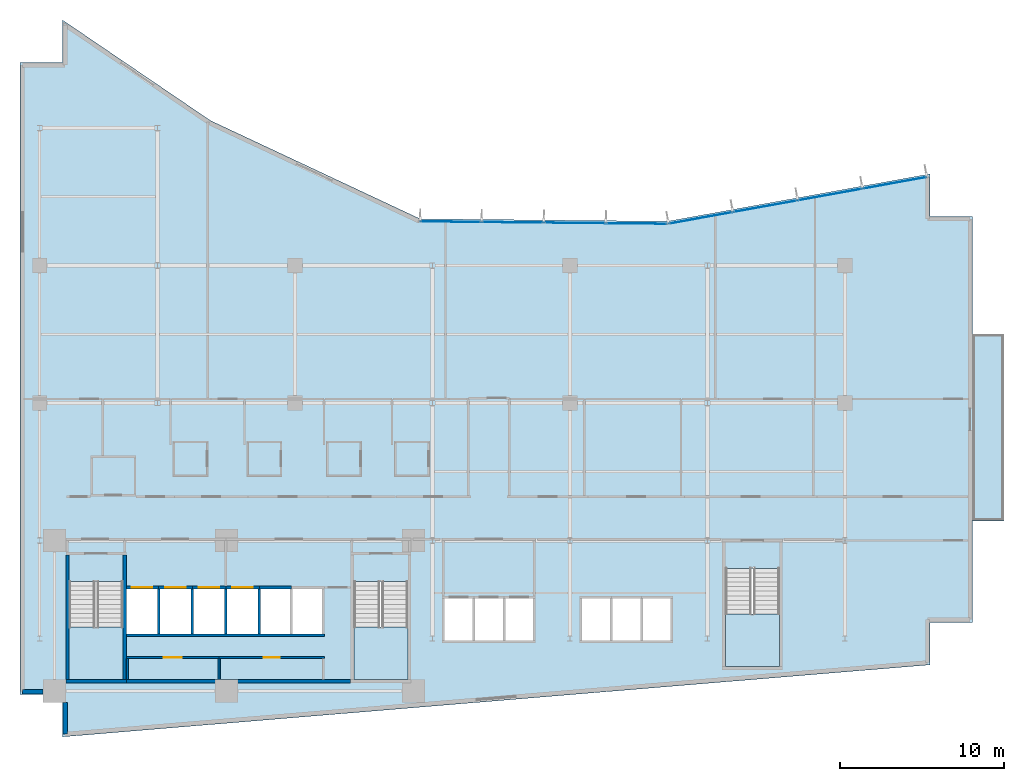
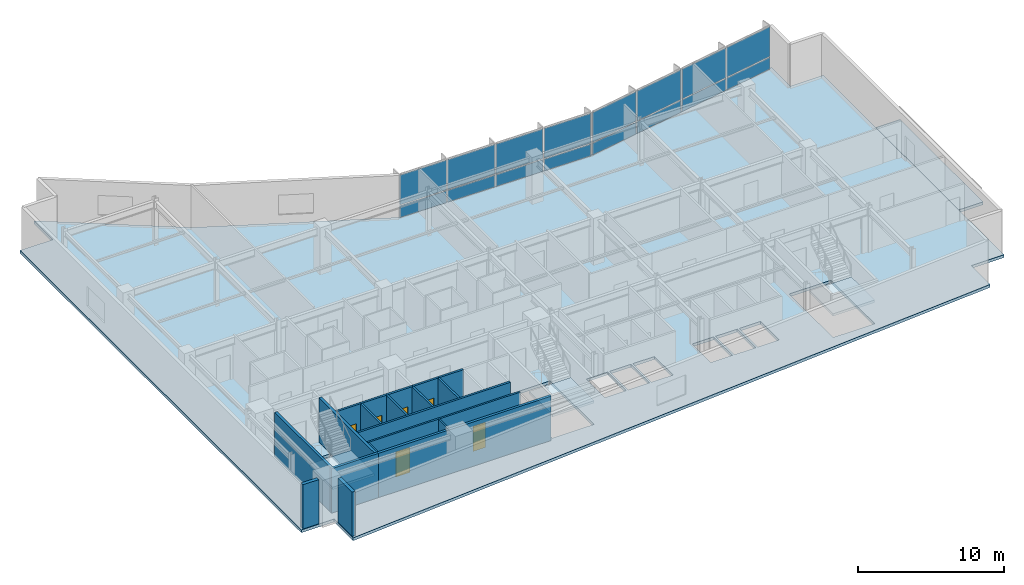
# One storey, part 9 of 18: 20 walls, 16 plates, 6 doors, 5 slabs, 6 openings, 5 elements without a shape of their own.
"""IFC4 building model written with IfcOpenShell, lengths in metres."""

from ifc_helpers import new_model, si_unit, direction, frame, frame_2d, origin, origin_2d, place, context, subcontext, project, spatial, polyline, rectangle, outline, extrude, material, layer, layer_set, type_object, element, fill, aggregate, save


model = new_model("IFC4")

# Units and contexts
model_context = context("Model", 3, precision=1e-05, world=origin(), true_north=direction((0.0, 1.0)))
body_context = subcontext(model_context, "Body", "Model", "MODEL_VIEW")
ifc_project = project(units=[si_unit("LENGTHUNIT", "METRE"), si_unit("AREAUNIT", "SQUARE_METRE"), si_unit("VOLUMEUNIT", "CUBIC_METRE"), si_unit("PLANEANGLEUNIT", "RADIAN"), si_unit("MASSUNIT", "GRAM", prefix="KILO")], contexts=[model_context])

# Site, building, storey
site_placement = place(None, origin())
site = spatial("IfcSite", under=ifc_project, at=site_placement, CompositionType="ELEMENT")
building_placement = place(site_placement, origin())
building = spatial("IfcBuilding", under=site, at=building_placement, Name="Varnakote Quay Hospital", CompositionType="ELEMENT")
storey_placement = place(building_placement, frame((0.0, 0.0, 73.85009765625)))
storey = spatial("IfcBuildingStorey", under=building, at=storey_placement, Name="L18", CompositionType="ELEMENT", Elevation=73.85009765625)

# Curtain wall, plates
ifc_material_1 = material(Name="Anodised aluminium 6063-T6 Bronze", Category="aluminium")
ifc_layer_1 = layer(ifc_material_1, 0.18994140625)
ifc_layer_set_1 = layer_set([ifc_layer_1], Name="Anodised aluminium 6063-T6 Bronze")
curtain_wall_type = type_object("IfcCurtainWallType", Name="CW-SYS-2", PredefinedType="NOTDEFINED", material=ifc_layer_set_1)
curtain_wall_1_placement = place(storey_placement, origin())
curtain_wall_1 = element("IfcCurtainWall", 1, at=curtain_wall_1_placement, inside=storey, type_object=curtain_wall_type, Name="L18 Unitised Bronze Curtain Wall 1", PredefinedType="NOTDEFINED")
ifc_material_2 = material(Name="Double-glazed acoustic laminated glass", Category="glass")
ifc_layer_2 = layer(ifc_material_2, 0.031982421875)
ifc_layer_set_2 = layer_set([ifc_layer_2], Name="Double-glazed acoustic laminated glass")
plate_type = type_object("IfcPlateType", Name="CW-PNL-GLZ-32", PredefinedType="CURTAIN_PANEL", material=ifc_layer_set_2)
plate_1_placement = place(storey_placement, frame((53.440185546875, 33.84716796875, 0.07470703125), z_axis=(0.0, 0.0, 1.0), x_axis=(-0.984058295766, -0.177846199098, 0.0)))
plate_1 = element("IfcPlate", 2, at=plate_1_placement, type_object=plate_type, Name="-2-L18-1 panel 1.1", PredefinedType="CURTAIN_PANEL", context=body_context, shape_type="SweptSolid", body=[
    extrude(rectangle(XDim=3.914306640625, YDim=0.031982421875, at=origin_2d()), origin(), (0.0, 0.0, 1.0), 0.987548828125),
])
plate_2_placement = place(storey_placement, frame((53.440185546875, 33.84716796875, 1.137451171875), z_axis=(0.0, 0.0, 1.0), x_axis=(-0.984058295766, -0.177846199098, 0.0)))
plate_2 = element("IfcPlate", 3, at=plate_2_placement, type_object=plate_type, Name="-2-L18-1 panel 1.2", PredefinedType="CURTAIN_PANEL", context=body_context, shape_type="SweptSolid", body=[
    extrude(rectangle(XDim=3.914306640625, YDim=0.031982421875, at=origin_2d()), origin(), (0.0, 0.0, 1.0), 2.49755859375),
])
plate_3_placement = place(storey_placement, frame((49.49609375, 33.13427734375, 0.07470703125), z_axis=(0.0, 0.0, 1.0), x_axis=(-0.984058295766, -0.177846199098, 0.0)))
plate_3 = element("IfcPlate", 4, at=plate_3_placement, type_object=plate_type, Name="-2-L18-1 panel 2.1", PredefinedType="CURTAIN_PANEL", context=body_context, shape_type="SweptSolid", body=[
    extrude(rectangle(XDim=3.951904296875, YDim=0.031982421875, at=origin_2d()), origin(), (0.0, 0.0, 1.0), 0.987548828125),
])
plate_4_placement = place(storey_placement, frame((49.49609375, 33.13427734375, 1.137451171875), z_axis=(0.0, 0.0, 1.0), x_axis=(-0.984058295766, -0.177846199098, 0.0)))
plate_4 = element("IfcPlate", 5, at=plate_4_placement, type_object=plate_type, Name="-2-L18-1 panel 2.2", PredefinedType="CURTAIN_PANEL", context=body_context, shape_type="SweptSolid", body=[
    extrude(rectangle(XDim=3.951904296875, YDim=0.031982421875, at=origin_2d()), origin(), (0.0, 0.0, 1.0), 2.49755859375),
])
plate_5_placement = place(storey_placement, frame((45.533447265625, 32.418212890625, 0.07470703125), z_axis=(0.0, 0.0, 1.0), x_axis=(-0.984058295766, -0.177846199098, 0.0)))
plate_5 = element("IfcPlate", 6, at=plate_5_placement, type_object=plate_type, Name="-2-L18-1 panel 3.1", PredefinedType="CURTAIN_PANEL", context=body_context, shape_type="SweptSolid", body=[
    extrude(rectangle(XDim=3.951904296875, YDim=0.031982421875, at=origin_2d()), origin(), (0.0, 0.0, 1.0), 0.987548828125),
])
plate_6_placement = place(storey_placement, frame((45.533447265625, 32.418212890625, 1.137451171875), z_axis=(0.0, 0.0, 1.0), x_axis=(-0.984058295766, -0.177846199098, 0.0)))
plate_6 = element("IfcPlate", 7, at=plate_6_placement, type_object=plate_type, Name="-2-L18-1 panel 3.2", PredefinedType="CURTAIN_PANEL", context=body_context, shape_type="SweptSolid", body=[
    extrude(rectangle(XDim=3.951904296875, YDim=0.031982421875, at=origin_2d()), origin(), (0.0, 0.0, 1.0), 2.49755859375),
])
plate_7_placement = place(storey_placement, frame((41.58935546875, 31.705322265625, 0.07470703125), z_axis=(0.0, 0.0, 1.0), x_axis=(-0.984058295766, -0.177846199098, 0.0)))
plate_7 = element("IfcPlate", 8, at=plate_7_placement, type_object=plate_type, Name="-2-L18-1 panel 4.1", PredefinedType="CURTAIN_PANEL", context=body_context, shape_type="SweptSolid", body=[
    extrude(rectangle(XDim=3.914306640625, YDim=0.031982421875, at=origin_2d()), origin(), (0.0, 0.0, 1.0), 0.987548828125),
])
plate_8_placement = place(storey_placement, frame((41.58935546875, 31.705322265625, 1.137451171875), z_axis=(0.0, 0.0, 1.0), x_axis=(-0.984058295766, -0.177846199098, 0.0)))
plate_8 = element("IfcPlate", 9, at=plate_8_placement, type_object=plate_type, Name="-2-L18-1 panel 4.2", PredefinedType="CURTAIN_PANEL", context=body_context, shape_type="SweptSolid", body=[
    extrude(rectangle(XDim=3.914306640625, YDim=0.031982421875, at=origin_2d()), origin(), (0.0, 0.0, 1.0), 2.49755859375),
])
aggregate(curtain_wall_1, [plate_1, plate_2, plate_3, plate_4, plate_5, plate_6, plate_7, plate_8])

curtain_wall_2_placement = place(storey_placement, origin())
curtain_wall_2 = element("IfcCurtainWall", 10, at=curtain_wall_2_placement, inside=storey, type_object=curtain_wall_type, Name="L18 Unitised Bronze Curtain Wall 2", PredefinedType="NOTDEFINED")
plate_9_placement = place(storey_placement, frame((37.673095703125, 31.362548828125, 0.07470703125), z_axis=(0.0, 0.0, 1.0), x_axis=(-0.999952230718, 0.009774266312, 0.0)))
plate_9 = element("IfcPlate", 11, at=plate_9_placement, type_object=plate_type, Name="-2-L18-2 panel 1.1", PredefinedType="CURTAIN_PANEL", context=body_context, shape_type="SweptSolid", body=[
    extrude(rectangle(XDim=3.68310546875, YDim=0.031982421875, at=origin_2d()), origin(), (0.0, 0.0, 1.0), 0.987548828125),
])
plate_10_placement = place(storey_placement, frame((37.673095703125, 31.362548828125, 1.137451171875), z_axis=(0.0, 0.0, 1.0), x_axis=(-0.999952230718, 0.009774266312, 0.0)))
plate_10 = element("IfcPlate", 12, at=plate_10_placement, type_object=plate_type, Name="-2-L18-2 panel 1.2", PredefinedType="CURTAIN_PANEL", context=body_context, shape_type="SweptSolid", body=[
    extrude(rectangle(XDim=3.68310546875, YDim=0.031982421875, at=origin_2d()), origin(), (0.0, 0.0, 1.0), 2.49755859375),
])
plate_11_placement = place(storey_placement, frame((33.896240234375, 31.399658203125, 0.07470703125), z_axis=(0.0, 0.0, 1.0), x_axis=(-0.999952230718, 0.009774266312, 0.0)))
plate_11 = element("IfcPlate", 13, at=plate_11_placement, type_object=plate_type, Name="-2-L18-2 panel 2.1", PredefinedType="CURTAIN_PANEL", context=body_context, shape_type="SweptSolid", body=[
    extrude(rectangle(XDim=3.720703125, YDim=0.031982421875, at=origin_2d()), origin(), (0.0, 0.0, 1.0), 0.987548828125),
])
plate_12_placement = place(storey_placement, frame((33.896240234375, 31.399658203125, 1.137451171875), z_axis=(0.0, 0.0, 1.0), x_axis=(-0.999952230718, 0.009774266312, 0.0)))
plate_12 = element("IfcPlate", 14, at=plate_12_placement, type_object=plate_type, Name="-2-L18-2 panel 2.2", PredefinedType="CURTAIN_PANEL", context=body_context, shape_type="SweptSolid", body=[
    extrude(rectangle(XDim=3.720703125, YDim=0.031982421875, at=origin_2d()), origin(), (0.0, 0.0, 1.0), 2.49755859375),
])
plate_13_placement = place(storey_placement, frame((30.100830078125, 31.436767578125, 0.07470703125), z_axis=(0.0, 0.0, 1.0), x_axis=(-0.999952230718, 0.009774266312, 0.0)))
plate_13 = element("IfcPlate", 15, at=plate_13_placement, type_object=plate_type, Name="-2-L18-2 panel 3.1", PredefinedType="CURTAIN_PANEL", context=body_context, shape_type="SweptSolid", body=[
    extrude(rectangle(XDim=3.720703125, YDim=0.031982421875, at=origin_2d()), origin(), (0.0, 0.0, 1.0), 0.987548828125),
])
plate_14_placement = place(storey_placement, frame((30.100830078125, 31.436767578125, 1.137451171875), z_axis=(0.0, 0.0, 1.0), x_axis=(-0.999952230718, 0.009774266312, 0.0)))
plate_14 = element("IfcPlate", 16, at=plate_14_placement, type_object=plate_type, Name="-2-L18-2 panel 3.2", PredefinedType="CURTAIN_PANEL", context=body_context, shape_type="SweptSolid", body=[
    extrude(rectangle(XDim=3.720703125, YDim=0.031982421875, at=origin_2d()), origin(), (0.0, 0.0, 1.0), 2.49755859375),
])
plate_15_placement = place(storey_placement, frame((26.32421875, 31.4736328125, 0.07470703125), z_axis=(0.0, 0.0, 1.0), x_axis=(-0.999952230718, 0.009774266312, 0.0)))
plate_15 = element("IfcPlate", 17, at=plate_15_placement, type_object=plate_type, Name="-2-L18-2 panel 4.1", PredefinedType="CURTAIN_PANEL", context=body_context, shape_type="SweptSolid", body=[
    extrude(rectangle(XDim=3.68310546875, YDim=0.031982421875, at=origin_2d()), origin(), (0.0, 0.0, 1.0), 0.987548828125),
])
plate_16_placement = place(storey_placement, frame((26.32421875, 31.4736328125, 1.137451171875), z_axis=(0.0, 0.0, 1.0), x_axis=(-0.999952230718, 0.009774266312, 0.0)))
plate_16 = element("IfcPlate", 18, at=plate_16_placement, type_object=plate_type, Name="-2-L18-2 panel 4.2", PredefinedType="CURTAIN_PANEL", context=body_context, shape_type="SweptSolid", body=[
    extrude(rectangle(XDim=3.68310546875, YDim=0.031982421875, at=origin_2d()), origin(), (0.0, 0.0, 1.0), 2.49755859375),
])
aggregate(curtain_wall_2, [plate_9, plate_10, plate_11, plate_12, plate_13, plate_14, plate_15, plate_16])

# Stair, slab
ifc_material_3 = material(Name="Concrete N40 (f'c 40 MPa)", Category="concrete")
stair_type = type_object("IfcStairType", Name="STR-CORE-1580", PredefinedType="HALF_TURN_STAIR", material=ifc_material_3)
stair_1_placement = place(storey_placement, origin())
stair_1 = element("IfcStair", 19, at=stair_1_placement, inside=storey, type_object=stair_type, Name="L18 Fire-Isolated Exit Stair ST-01", PredefinedType="HALF_TURN_STAIR")
ifc_material_4 = material(Name="Concrete N40 (f'c 40 MPa)", Category="concrete")
ifc_layer_3 = layer(ifc_material_4, 0.199951171875)
ifc_layer_set_3 = layer_set([ifc_layer_3], Name="Concrete N40 (f'c 40 MPa)")
slab_type_1 = type_object("IfcSlabType", Name="SLB-STAIR-LND-200", PredefinedType="LANDING", material=ifc_layer_set_3)
slab_1_placement = place(storey_placement, frame((0.0, 0.0, 1.77490234375)))
slab_1 = element("IfcSlab", 20, at=slab_1_placement, type_object=slab_type_1, Name="ST-01 landing 1", PredefinedType="LANDING", context=body_context, shape_type="SweptSolid", body=[
    extrude(outline(polyline([(3.0, 6.699951171875), (3.0, 3.5), (6.300048828125, 3.5), (6.300048828125, 6.699951171875), (3.0, 6.699951171875)])), origin(), (0.0, 0.0, 1.0), 0.199951171875),
])
aggregate(stair_1, [slab_1])

stair_2_placement = place(storey_placement, origin())
stair_2 = element("IfcStair", 21, at=stair_2_placement, inside=storey, type_object=stair_type, Name="L18 Fire-Isolated Exit Stair ST-02", PredefinedType="HALF_TURN_STAIR")
slab_2_placement = place(storey_placement, frame((0.0, 0.0, 1.77490234375)))
slab_2 = element("IfcSlab", 22, at=slab_2_placement, type_object=slab_type_1, Name="ST-02 landing 1", PredefinedType="LANDING", context=body_context, shape_type="SweptSolid", body=[
    extrude(outline(polyline([(20.39990234375, 6.699951171875), (20.39990234375, 3.5), (23.699951171875, 3.5), (23.699951171875, 6.699951171875), (20.39990234375, 6.699951171875)])), origin(), (0.0, 0.0, 1.0), 0.199951171875),
])
aggregate(stair_2, [slab_2])

stair_3_placement = place(storey_placement, origin())
stair_3 = element("IfcStair", 23, at=stair_3_placement, inside=storey, type_object=stair_type, Name="L18 Fire-Isolated Exit Stair ST-03", PredefinedType="HALF_TURN_STAIR")
slab_3_placement = place(storey_placement, frame((0.0, 0.0, 1.77490234375)))
slab_3 = element("IfcSlab", 24, at=slab_3_placement, type_object=slab_type_1, Name="ST-03 landing 1", PredefinedType="LANDING", context=body_context, shape_type="SweptSolid", body=[
    extrude(outline(polyline([(43.10009765625, 7.5), (43.10009765625, 4.300048828125), (46.39990234375, 4.300048828125), (46.39990234375, 7.5), (43.10009765625, 7.5)])), origin(), (0.0, 0.0, 1.0), 0.199951171875),
])
aggregate(stair_3, [slab_3])

# Slabs
ifc_material_5 = material(Name="Concrete N50 (f'c 50 MPa)", Category="concrete")
ifc_layer_4 = layer(ifc_material_5, 0.239990234375)
ifc_layer_set_4 = layer_set([ifc_layer_4], Name="Concrete N50 (f'c 50 MPa)")
slab_type_2 = type_object("IfcSlabType", Name="SLB-TERR-200", PredefinedType="FLOOR", material=ifc_layer_set_4)
slab_4_placement = place(storey_placement, frame((0.0, 0.0, -0.239990234375)))
element("IfcSlab", 25, at=slab_4_placement, inside=storey, type_object=slab_type_2, Name="L18 Waterfront Healing Terrace Slab", PredefinedType="FLOOR", context=body_context, shape_type="SweptSolid", body=[
    extrude(outline(polyline([(58.196044921875, 24.60009765625), (58.196044921875, 13.199951171875), (60.1201171875, 13.199951171875), (60.1201171875, 24.60009765625), (58.196044921875, 24.60009765625)])), origin(), (0.0, 0.0, 1.0), 0.239990234375),
])
ifc_material_6 = material(Name="Concrete N50 (f'c 50 MPa)", Category="concrete")
ifc_layer_5 = layer(ifc_material_6, 0.239990234375)
ifc_layer_set_5 = layer_set([ifc_layer_5], Name="Concrete N50 (f'c 50 MPa)")
slab_type_3 = type_object("IfcSlabType", Name="SLB-WARD-200", PredefinedType="FLOOR", material=ifc_layer_set_5)
slab_5_placement = place(storey_placement, frame((0.0, 0.0, -0.239990234375)))
element("IfcSlab", 26, at=slab_5_placement, inside=storey, type_object=slab_type_3, Name="L18 Primary Floor Slab", PredefinedType="FLOOR", context=body_context, shape_type="SweptSolid", body=[
    extrude(outline(polyline([(0.0, 2.60009765625), (2.60009765625, 2.60009765625), (2.60009765625, 0.0), (55.60009765625, 4.39990234375), (55.60009765625, 7.0), (58.199951171875, 7.0), (58.199951171875, 31.800048828125), (55.60009765625, 31.800048828125), (55.60009765625, 34.39990234375), (39.575927734375, 31.50390625), (24.444091796875, 31.652099609375), (11.639892578125, 37.656005859375), (2.60009765625, 43.800048828125), (2.60009765625, 41.199951171875), (0.0, 41.199951171875), (0.0, 2.60009765625)]), holes=[polyline([(3.0, 3.5), (6.300048828125, 3.5), (6.300048828125, 9.49951171875), (3.0, 9.49951171875), (3.0, 3.5)]), polyline([(20.39990234375, 3.5), (23.699951171875, 3.5), (23.699951171875, 9.49951171875), (20.39990234375, 9.49951171875), (20.39990234375, 3.5)]), polyline([(43.10009765625, 4.300048828125), (46.39990234375, 4.300048828125), (46.39990234375, 10.29931640625), (43.10009765625, 10.29931640625), (43.10009765625, 4.300048828125)]), polyline([(6.5, 6.300048828125), (8.39990234375, 6.300048828125), (8.39990234375, 9.050048828125), (6.5, 9.050048828125), (6.5, 6.300048828125)]), polyline([(8.550048828125, 6.300048828125), (10.449951171875, 6.300048828125), (10.449951171875, 9.050048828125), (8.550048828125, 9.050048828125), (8.550048828125, 6.300048828125)]), polyline([(10.60009765625, 6.300048828125), (12.5, 6.300048828125), (12.5, 9.050048828125), (10.60009765625, 9.050048828125), (10.60009765625, 6.300048828125)]), polyline([(12.64990234375, 6.300048828125), (14.550048828125, 6.300048828125), (14.550048828125, 9.050048828125), (12.64990234375, 9.050048828125), (12.64990234375, 6.300048828125)]), polyline([(14.699951171875, 6.300048828125), (16.5, 6.300048828125), (16.5, 9.050048828125), (14.699951171875, 9.050048828125), (14.699951171875, 6.300048828125)]), polyline([(16.64990234375, 6.300048828125), (18.449951171875, 6.300048828125), (18.449951171875, 9.050048828125), (16.64990234375, 9.050048828125), (16.64990234375, 6.300048828125)]), polyline([(25.949951171875, 5.89990234375), (27.64990234375, 5.89990234375), (27.64990234375, 8.449951171875), (25.949951171875, 8.449951171875), (25.949951171875, 5.89990234375)]), polyline([(27.800048828125, 5.89990234375), (29.5, 5.89990234375), (29.5, 8.449951171875), (27.800048828125, 8.449951171875), (27.800048828125, 5.89990234375)]), polyline([(29.64990234375, 5.89990234375), (31.35009765625, 5.89990234375), (31.35009765625, 8.449951171875), (29.64990234375, 8.449951171875), (29.64990234375, 5.89990234375)]), polyline([(34.35009765625, 5.89990234375), (36.050048828125, 5.89990234375), (36.050048828125, 8.449951171875), (34.35009765625, 8.449951171875), (34.35009765625, 5.89990234375)]), polyline([(36.199951171875, 5.89990234375), (37.89990234375, 5.89990234375), (37.89990234375, 8.449951171875), (36.199951171875, 8.449951171875), (36.199951171875, 5.89990234375)]), polyline([(38.050048828125, 5.89990234375), (39.75, 5.89990234375), (39.75, 8.449951171875), (38.050048828125, 8.449951171875), (38.050048828125, 5.89990234375)])]), origin(), (0.0, 0.0, 1.0), 0.239990234375),
])

# Walls
ifc_material_7 = material(Name="Concrete N80 (f'c 80 MPa)", Category="concrete")
ifc_layer_6 = layer(ifc_material_7, 0.199951171875)
ifc_layer_set_6 = layer_set([ifc_layer_6], Name="Concrete N80 (f'c 80 MPa)")
wall_type_1 = type_object("IfcWallType", Name="WL-CORE-N80-200", PredefinedType="SHEAR", material=ifc_layer_set_6)
wall_1_placement = place(storey_placement, frame((6.5, 3.39990234375, 0.0), z_axis=(0.0, 0.0, 1.0), x_axis=(1.0, 0.0, 0.0)))
element("IfcWall", 27, at=wall_1_placement, inside=storey, type_object=wall_type_1, Name="L18 Rear Core South Shear Wall", PredefinedType="SHEAR", context=body_context, shape_type="SweptSolid", body=[
    extrude(rectangle(XDim=13.699951171875, YDim=0.199951171875, at=frame_2d((6.85009765625, 0.0))), origin(), (0.0, 0.0, 1.0), 3.7099609375),
])
ifc_material_8 = material(Name="Precast concrete N50 (f'c 50 MPa)", Category="concrete")
ifc_layer_7 = layer(ifc_material_8, 0.260009765625)
ifc_layer_set_7 = layer_set([ifc_layer_7], Name="Precast concrete N50 (f'c 50 MPa)")
wall_type_2 = type_object("IfcWallType", Name="WL-EXT-BRICK-260", PredefinedType="STANDARD", material=ifc_layer_set_7)
wall_2_placement = place(storey_placement, frame((2.760009765625, 2.114990234375, 0.0), z_axis=(0.0, 0.0, 1.0), x_axis=(0.0, -1.0, 0.0)))
element("IfcWall", 28, at=wall_2_placement, inside=storey, type_object=wall_type_2, Name="L18 Brick-Faced Precast Exterior Wall", PredefinedType="STANDARD", context=body_context, shape_type="SweptSolid", body=[
    extrude(rectangle(XDim=1.941162109375, YDim=0.260009765625, at=frame_2d((0.970703125, 0.0))), origin(), (0.0, 0.0, 1.0), 3.7099609375),
])
wall_3_placement = place(storey_placement, frame((0.159912109375, 2.760009765625, 0.0), z_axis=(0.0, 0.0, 1.0), x_axis=(1.0, 0.0, 0.0)))
element("IfcWall", 29, at=wall_3_placement, inside=storey, type_object=wall_type_2, Name="L18 Brick-Faced Precast Exterior Wall", PredefinedType="STANDARD", context=body_context, shape_type="SweptSolid", body=[
    extrude(rectangle(XDim=1.255126953125, YDim=0.260009765625, at=frame_2d((0.62744140625, 0.0))), origin(), (0.0, 0.0, 1.0), 3.7099609375),
])
ifc_material_9 = material(Name="Concrete N50 (f'c 50 MPa)", Category="concrete")
ifc_layer_8 = layer(ifc_material_9, 0.14990234375)
ifc_layer_set_8 = layer_set([ifc_layer_8], Name="Concrete N50 (f'c 50 MPa)")
wall_type_3 = type_object("IfcWallType", Name="WL-SHAFT-N50-150", PredefinedType="SHEAR", material=ifc_layer_set_8)
for number, where, z_axis, x_axis, name in (
    (30, (8.47509765625, 6.300048828125, 0.0), (0.0, 0.0, 1.0), (0.0, 1.0, 0.0), "L18 LF-FF1 Hoistway Divider Wall"),
    (31, (10.52490234375, 6.300048828125, 0.0), (0.0, 0.0, 1.0), (0.0, 1.0, 0.0), "L18 LF-FF2 Hoistway Divider Wall"),
    (32, (12.574951171875, 6.300048828125, 0.0), (0.0, 0.0, 1.0), (0.0, 1.0, 0.0), "L18 LF-SV1 Hoistway Divider Wall"),
    (33, (14.625, 6.300048828125, 0.0), (0.0, 0.0, 1.0), (0.0, 1.0, 0.0), "L18 LF-SV2 Hoistway Divider Wall"),
):
    element("IfcWall", number, at=place(storey_placement, frame(where, z_axis=z_axis, x_axis=x_axis)), inside=storey, type_object=wall_type_3, Name=name, PredefinedType="SHEAR", context=body_context, shape_type="SweptSolid", body=[
        extrude(rectangle(XDim=2.75, YDim=0.14990234375, at=frame_2d((1.375, 0.0))), origin(), (0.0, 0.0, 1.0), 3.7099609375),
    ])
ifc_material_10 = material(Name="Concrete N50 (f'c 50 MPa)", Category="concrete")
ifc_layer_9 = layer(ifc_material_10, 0.159912109375)
ifc_layer_set_9 = layer_set([ifc_layer_9], Name="Concrete N50 (f'c 50 MPa)")
wall_type_4 = type_object("IfcWallType", Name="WL-SHAFT-N50-160", PredefinedType="SHEAR", material=ifc_layer_set_9)
wall_4_placement = place(storey_placement, frame((6.5, 6.219970703125, 0.0), z_axis=(0.0, 0.0, 1.0), x_axis=(1.0, 0.0, 0.0)))
element("IfcWall", 34, at=wall_4_placement, inside=storey, type_object=wall_type_4, Name="L18 REAR Lift Bank Back Shear Wall", PredefinedType="SHEAR", context=body_context, shape_type="SweptSolid", body=[
    extrude(rectangle(XDim=12.110107421875, YDim=0.159912109375, at=frame_2d((6.05517578125, 0.0))), origin(), (0.0, 0.0, 1.0), 3.7099609375),
])

# Wall, opening, door
wall_5_placement = place(storey_placement, frame((6.5, 9.1298828125, 0.0), z_axis=(0.0, 0.0, 1.0), x_axis=(1.0, 0.0, 0.0)))
wall_5 = element("IfcWall", 35, at=wall_5_placement, inside=storey, type_object=wall_type_4, Name="L18 LF-FF1 Hoistway Front Wall", PredefinedType="SHEAR", context=body_context, shape_type="SweptSolid", body=[
    extrude(rectangle(XDim=1.97509765625, YDim=0.159912109375, at=frame_2d((0.987548828125, 0.0))), origin(), (0.0, 0.0, 1.0), 3.7099609375),
])
opening_1_placement = place(wall_5_placement, frame((0.324951171875, 0.0, 0.0)))
opening_1 = element("IfcOpeningElement", 36, at=opening_1_placement, cuts=wall_5, Name="Opening LD-FF1-L18", PredefinedType="OPENING", context=body_context, shape_type="SweptSolid", body=[
    extrude(rectangle(XDim=1.25, YDim=2.14990234375, at=frame_2d((0.625, 1.074951171875))), frame((0.0, 0.08984375, 0.0), z_axis=(0.0, -1.0, 0.0), x_axis=(1.0, 0.0, 0.0)), (0.0, 0.0, 1.0), 0.179931640625),
])
ifc_material_11 = material(Name="Stainless steel lift landing sliding door", Category="steel")
door_type_1 = type_object("IfcDoorType", Name="DR-LIFT-LD-1250x2150", OperationType="NOTDEFINED", PredefinedType="DOOR", material=ifc_material_11)
door_1_placement = place(opening_1_placement, origin())
door_1 = element("IfcDoor", 37, at=door_1_placement, inside=storey, type_object=door_type_1, Name="L18 LF-FF1 Lift Landing Sliding Door", OperationType="SLIDING_TO_LEFT", OverallHeight=2.14990234375, OverallWidth=1.25, PredefinedType="DOOR", context=body_context, shape_type="SweptSolid", body=[
    extrude(rectangle(XDim=1.25, YDim=2.14990234375, at=frame_2d((0.625, 1.074951171875))), frame((0.0, 0.02490234375, 0.0), z_axis=(0.0, -1.0, 0.0), x_axis=(1.0, 0.0, 0.0)), (0.0, 0.0, 1.0), 0.050048828125),
])
fill(opening_1, door_1)

wall_6_placement = place(storey_placement, frame((8.47509765625, 9.1298828125, 0.0), z_axis=(0.0, 0.0, 1.0), x_axis=(1.0, 0.0, 0.0)))
wall_6 = element("IfcWall", 38, at=wall_6_placement, inside=storey, type_object=wall_type_4, Name="L18 LF-FF2 Hoistway Front Wall", PredefinedType="SHEAR", context=body_context, shape_type="SweptSolid", body=[
    extrude(rectangle(XDim=2.0498046875, YDim=0.159912109375, at=frame_2d((1.02490234375, 0.0))), origin(), (0.0, 0.0, 1.0), 3.7099609375),
])
opening_2_placement = place(wall_6_placement, frame((0.39990234375, 0.0, 0.0)))
opening_2 = element("IfcOpeningElement", 39, at=opening_2_placement, cuts=wall_6, Name="Opening LD-FF2-L18", PredefinedType="OPENING", context=body_context, shape_type="SweptSolid", body=[
    extrude(rectangle(XDim=1.25, YDim=2.14990234375, at=frame_2d((0.625, 1.074951171875))), frame((0.0, 0.08984375, 0.0), z_axis=(0.0, -1.0, 0.0), x_axis=(1.0, 0.0, 0.0)), (0.0, 0.0, 1.0), 0.179931640625),
])
door_2_placement = place(opening_2_placement, origin())
door_2 = element("IfcDoor", 40, at=door_2_placement, inside=storey, type_object=door_type_1, Name="L18 LF-FF2 Lift Landing Sliding Door", OperationType="SLIDING_TO_LEFT", OverallHeight=2.14990234375, OverallWidth=1.25, PredefinedType="DOOR", context=body_context, shape_type="SweptSolid", body=[
    extrude(rectangle(XDim=1.25, YDim=2.14990234375, at=frame_2d((0.625, 1.074951171875))), frame((0.0, 0.02490234375, 0.0), z_axis=(0.0, -1.0, 0.0), x_axis=(1.0, 0.0, 0.0)), (0.0, 0.0, 1.0), 0.050048828125),
])
fill(opening_2, door_2)

wall_7_placement = place(storey_placement, frame((10.52490234375, 9.1298828125, 0.0), z_axis=(0.0, 0.0, 1.0), x_axis=(1.0, 0.0, 0.0)))
wall_7 = element("IfcWall", 41, at=wall_7_placement, inside=storey, type_object=wall_type_4, Name="L18 LF-SV1 Hoistway Front Wall", PredefinedType="SHEAR", context=body_context, shape_type="SweptSolid", body=[
    extrude(rectangle(XDim=2.050048828125, YDim=0.159912109375, at=frame_2d((1.02490234375, 0.0))), origin(), (0.0, 0.0, 1.0), 3.7099609375),
])
opening_3_placement = place(wall_7_placement, frame((0.39990234375, 0.0, 0.0)))
opening_3 = element("IfcOpeningElement", 42, at=opening_3_placement, cuts=wall_7, Name="Opening LD-SV1-L18", PredefinedType="OPENING", context=body_context, shape_type="SweptSolid", body=[
    extrude(rectangle(XDim=1.25, YDim=2.14990234375, at=frame_2d((0.625, 1.074951171875))), frame((0.0, 0.08984375, 0.0), z_axis=(0.0, -1.0, 0.0), x_axis=(1.0, 0.0, 0.0)), (0.0, 0.0, 1.0), 0.179931640625),
])
door_3_placement = place(opening_3_placement, origin())
door_3 = element("IfcDoor", 43, at=door_3_placement, inside=storey, type_object=door_type_1, Name="L18 LF-SV1 Lift Landing Sliding Door", OperationType="SLIDING_TO_LEFT", OverallHeight=2.14990234375, OverallWidth=1.25, PredefinedType="DOOR", context=body_context, shape_type="SweptSolid", body=[
    extrude(rectangle(XDim=1.25, YDim=2.14990234375, at=frame_2d((0.625, 1.074951171875))), frame((0.0, 0.02490234375, 0.0), z_axis=(0.0, -1.0, 0.0), x_axis=(1.0, 0.0, 0.0)), (0.0, 0.0, 1.0), 0.050048828125),
])
fill(opening_3, door_3)

wall_8_placement = place(storey_placement, frame((12.574951171875, 9.1298828125, 0.0), z_axis=(0.0, 0.0, 1.0), x_axis=(1.0, 0.0, 0.0)))
wall_8 = element("IfcWall", 44, at=wall_8_placement, inside=storey, type_object=wall_type_4, Name="L18 LF-SV2 Hoistway Front Wall", PredefinedType="SHEAR", context=body_context, shape_type="SweptSolid", body=[
    extrude(rectangle(XDim=2.050048828125, YDim=0.159912109375, at=frame_2d((1.02490234375, 0.0))), origin(), (0.0, 0.0, 1.0), 3.7099609375),
])
opening_4_placement = place(wall_8_placement, frame((0.39990234375, 0.0, 0.0)))
opening_4 = element("IfcOpeningElement", 45, at=opening_4_placement, cuts=wall_8, Name="Opening LD-SV2-L18", PredefinedType="OPENING", context=body_context, shape_type="SweptSolid", body=[
    extrude(rectangle(XDim=1.25, YDim=2.14990234375, at=frame_2d((0.625, 1.074951171875))), frame((0.0, 0.08984375, 0.0), z_axis=(0.0, -1.0, 0.0), x_axis=(1.0, 0.0, 0.0)), (0.0, 0.0, 1.0), 0.179931640625),
])
door_4_placement = place(opening_4_placement, origin())
door_4 = element("IfcDoor", 46, at=door_4_placement, inside=storey, type_object=door_type_1, Name="L18 LF-SV2 Lift Landing Sliding Door", OperationType="SLIDING_TO_LEFT", OverallHeight=2.14990234375, OverallWidth=1.25, PredefinedType="DOOR", context=body_context, shape_type="SweptSolid", body=[
    extrude(rectangle(XDim=1.25, YDim=2.14990234375, at=frame_2d((0.625, 1.074951171875))), frame((0.0, 0.02490234375, 0.0), z_axis=(0.0, -1.0, 0.0), x_axis=(1.0, 0.0, 0.0)), (0.0, 0.0, 1.0), 0.050048828125),
])
fill(opening_4, door_4)

# Walls
wall_9_placement = place(storey_placement, frame((14.625, 9.1298828125, 0.0), z_axis=(0.0, 0.0, 1.0), x_axis=(1.0, 0.0, 0.0)))
element("IfcWall", 47, at=wall_9_placement, inside=storey, type_object=wall_type_4, Name="L18 LF-PH1 Hoistway Front Wall", PredefinedType="SHEAR", context=body_context, shape_type="SweptSolid", body=[
    extrude(rectangle(XDim=1.949951171875, YDim=0.159912109375, at=frame_2d((0.97509765625, 0.0))), origin(), (0.0, 0.0, 1.0), 3.7099609375),
])
ifc_material_12 = material(Name="Concrete N50 (f'c 50 MPa)", Category="concrete")
ifc_layer_10 = layer(ifc_material_12, 0.199951171875)
ifc_layer_set_10 = layer_set([ifc_layer_10], Name="Concrete N50 (f'c 50 MPa)")
wall_type_5 = type_object("IfcWallType", Name="WL-SHAFT-N50-200", PredefinedType="SHEAR", material=ifc_layer_set_10)
wall_10_placement = place(storey_placement, frame((2.800048828125, 3.39990234375, 0.0), z_axis=(0.0, 0.0, 1.0), x_axis=(1.0, 0.0, 0.0)))
element("IfcWall", 48, at=wall_10_placement, inside=storey, type_object=wall_type_5, Name="L18 Stair ST1 South Shaft Wall", PredefinedType="SHEAR", context=body_context, shape_type="SweptSolid", body=[
    extrude(rectangle(XDim=3.699951171875, YDim=0.199951171875, at=frame_2d((1.85009765625, 0.0))), origin(), (0.0, 0.0, 1.0), 3.7099609375),
])
for number, where, z_axis, x_axis, name in (
    (49, (2.89990234375, 3.5, 0.0), (0.0, 0.0, 1.0), (0.0, 1.0, 0.0), "L18 Stair ST1 West Shaft Wall"),
    (50, (6.39990234375, 3.5, 0.0), (0.0, 0.0, 1.0), (0.0, 1.0, 0.0), "L18 Stair ST1 East Shaft Wall"),
):
    element("IfcWall", number, at=place(storey_placement, frame(where, z_axis=z_axis, x_axis=x_axis)), inside=storey, type_object=wall_type_5, Name=name, PredefinedType="SHEAR", context=body_context, shape_type="SweptSolid", body=[
        extrude(rectangle(XDim=7.60009765625, YDim=0.199951171875, at=frame_2d((3.800048828125, 0.0))), origin(), (0.0, 0.0, 1.0), 3.7099609375),
    ])
ifc_material_13 = material(Name="Smoke-proof clinical partition", Category="gypsum")
ifc_layer_11 = layer(ifc_material_13, 0.1201171875)
ifc_layer_set_11 = layer_set([ifc_layer_11], Name="Smoke-proof clinical partition")
wall_type_6 = type_object("IfcWallType", Name="WL-SMOKE-120", PredefinedType="PARTITIONING", material=ifc_layer_set_11)
for number, where, z_axis, x_axis, name in (
    (51, (6.56005859375, 3.52001953125, 0.0), (0.0, 0.0, 1.0), (0.0, 1.0, 0.0), "L18 Core South Service West Wall"),
    (52, (12.169921875, 3.52001953125, 0.0), (0.0, 0.0, 1.0), (0.0, 1.0, 0.0), "L18 Core South Service Divider"),
):
    element("IfcWall", number, at=place(storey_placement, frame(where, z_axis=z_axis, x_axis=x_axis)), inside=storey, type_object=wall_type_6, Name=name, PredefinedType="PARTITIONING", context=body_context, shape_type="SweptSolid", body=[
        extrude(rectangle(XDim=1.260009765625, YDim=0.1201171875, at=frame_2d((0.6298828125, 0.0))), origin(), (0.0, 0.0, 1.0), 3.7099609375),
    ])

# Wall, opening, door
ifc_material_14 = material(Name="Fire-rated clinical gypsum partition", Category="gypsum")
ifc_layer_12 = layer(ifc_material_14, 0.139892578125)
ifc_layer_set_12 = layer_set([ifc_layer_12], Name="Fire-rated clinical gypsum partition")
wall_type_7 = type_object("IfcWallType", Name="WL-WARD-140", PredefinedType="PARTITIONING", material=ifc_layer_set_12)
wall_11_placement = place(storey_placement, frame((6.5, 4.85009765625, 0.0), z_axis=(0.0, 0.0, 1.0), x_axis=(1.0, 0.0, 0.0)))
wall_11 = element("IfcWall", 53, at=wall_11_placement, inside=storey, type_object=wall_type_7, Name="L18 Core Clean Linen Store North Wall", PredefinedType="PARTITIONING", context=body_context, shape_type="SweptSolid", body=[
    extrude(rectangle(XDim=5.669921875, YDim=0.139892578125, at=frame_2d((2.8349609375, 0.0))), origin(), (0.0, 0.0, 1.0), 3.7099609375),
])
opening_5_placement = place(wall_11_placement, frame((2.284912109375, 0.0, 0.0)))
opening_5 = element("IfcOpeningElement", 54, at=opening_5_placement, cuts=wall_11, Name="Opening D-L18-CR01", PredefinedType="OPENING", context=body_context, shape_type="SweptSolid", body=[
    extrude(rectangle(XDim=1.10009765625, YDim=2.10009765625, at=frame_2d((0.550048828125, 1.050048828125))), frame((0.0, 0.079833984375, 0.0), z_axis=(0.0, -1.0, 0.0), x_axis=(1.0, 0.0, 0.0)), (0.0, 0.0, 1.0), 0.159912109375),
])
ifc_material_15 = material(Name="Acoustic timber clinical consult door", Category="wood")
door_type_2 = type_object("IfcDoorType", Name="DR-CLIN-FD30S-1100x2100", OperationType="NOTDEFINED", PredefinedType="DOOR", material=ifc_material_15)
door_5_placement = place(opening_5_placement, origin())
door_5 = element("IfcDoor", 55, at=door_5_placement, inside=storey, type_object=door_type_2, Name="L18 Core Clean Linen Store Door", OperationType="SINGLE_SWING_RIGHT", OverallHeight=2.10009765625, OverallWidth=1.10009765625, PredefinedType="DOOR", context=body_context, shape_type="SweptSolid", body=[
    extrude(rectangle(XDim=1.10009765625, YDim=2.10009765625, at=frame_2d((0.550048828125, 1.050048828125))), frame((0.0, 0.02490234375, 0.0), z_axis=(0.0, -1.0, 0.0), x_axis=(1.0, 0.0, 0.0)), (0.0, 0.0, 1.0), 0.050048828125),
])
fill(opening_5, door_5)

wall_12_placement = place(storey_placement, frame((12.169921875, 4.85009765625, 0.0), z_axis=(0.0, 0.0, 1.0), x_axis=(1.0, 0.0, 0.0)))
wall_12 = element("IfcWall", 56, at=wall_12_placement, inside=storey, type_object=wall_type_7, Name="L18 Core Staff Sanitary WC North Wall", PredefinedType="PARTITIONING", context=body_context, shape_type="SweptSolid", body=[
    extrude(rectangle(XDim=6.43017578125, YDim=0.139892578125, at=frame_2d((3.215087890625, 0.0))), origin(), (0.0, 0.0, 1.0), 3.7099609375),
])
opening_6_placement = place(wall_12_placement, frame((2.72509765625, 0.0, 0.0)))
opening_6 = element("IfcOpeningElement", 57, at=opening_6_placement, cuts=wall_12, Name="Opening D-L18-CR02", PredefinedType="OPENING", context=body_context, shape_type="SweptSolid", body=[
    extrude(rectangle(XDim=0.97998046875, YDim=2.10009765625, at=frame_2d((0.489990234375, 1.050048828125))), frame((0.0, 0.079833984375, 0.0), z_axis=(0.0, -1.0, 0.0), x_axis=(1.0, 0.0, 0.0)), (0.0, 0.0, 1.0), 0.159912109375),
])
ifc_material_16 = material(Name="Accessible sanitary compartment door")
door_type_3 = type_object("IfcDoorType", Name="DR-WC-980x2100", OperationType="NOTDEFINED", PredefinedType="DOOR", material=ifc_material_16)
door_6_placement = place(opening_6_placement, origin())
door_6 = element("IfcDoor", 58, at=door_6_placement, inside=storey, type_object=door_type_3, Name="L18 Core Staff Sanitary WC Door", OperationType="SINGLE_SWING_LEFT", OverallHeight=2.10009765625, OverallWidth=0.97998046875, PredefinedType="DOOR", context=body_context, shape_type="SweptSolid", body=[
    extrude(rectangle(XDim=0.97998046875, YDim=2.10009765625, at=frame_2d((0.489990234375, 1.050048828125))), frame((0.0, 0.02490234375, 0.0), z_axis=(0.0, -1.0, 0.0), x_axis=(1.0, 0.0, 0.0)), (0.0, 0.0, 1.0), 0.050048828125),
])
fill(opening_6, door_6)

save(model, "model.ifc")
